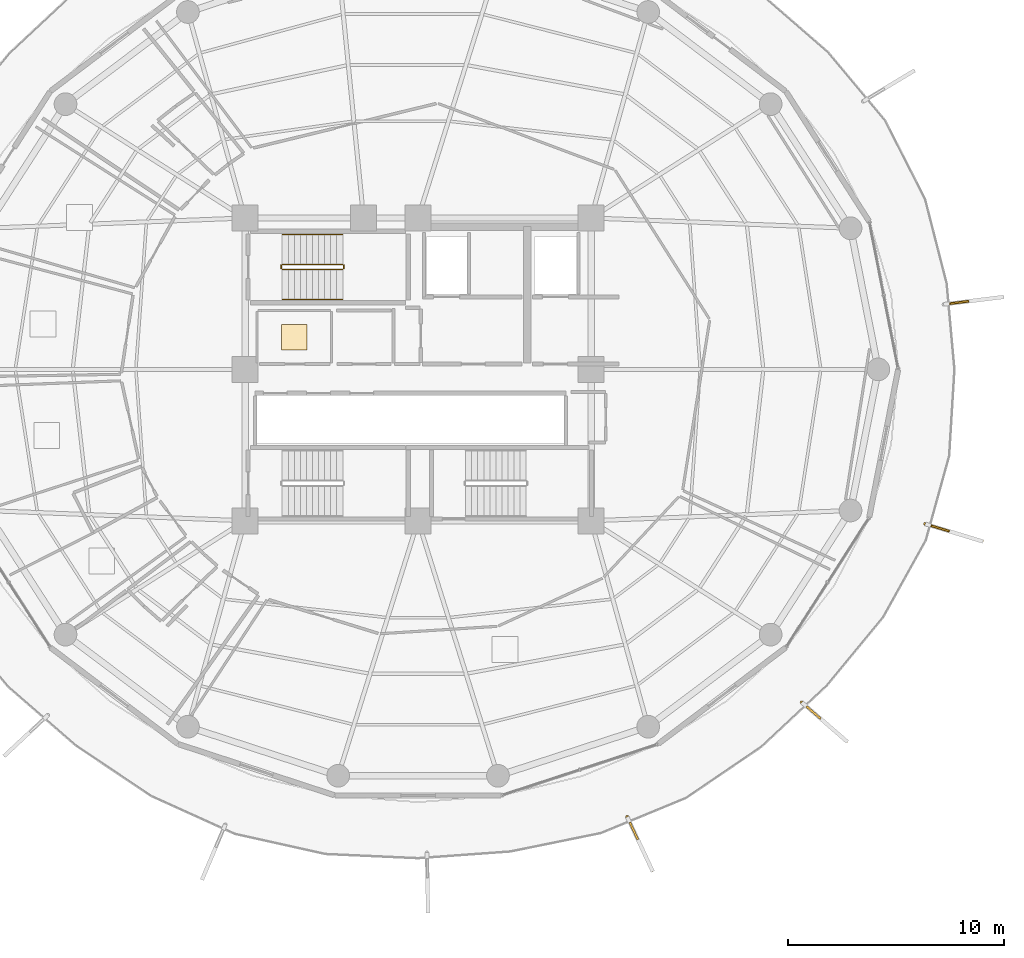
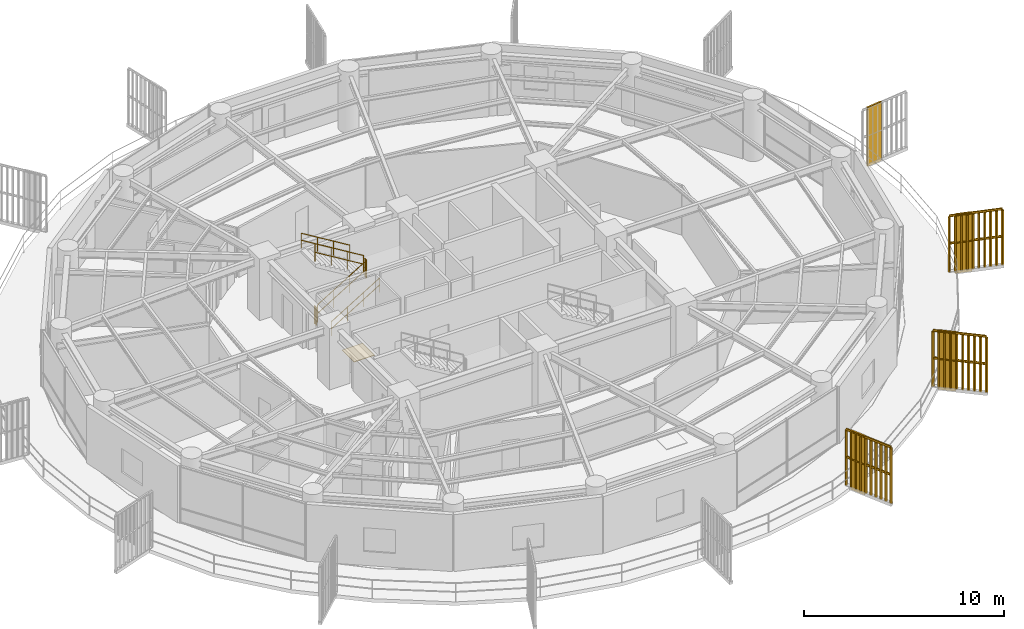
# One storey, part 29 of 30: 9 railings, 4 shading devices, 1 covering.
"""IFC4 building model written with IfcOpenShell, lengths in metres."""

from ifc_helpers import new_model, si_unit, direction, frame, origin, origin_2d, place, context, subcontext, project, spatial, polyline, rectangle, outline, extrude, source, transform, mapped, material, layer, layer_set, type_object, element, save


model = new_model("IFC4")

# Units and contexts
model_context = context("Model", 3, precision=1e-05, world=origin(), true_north=direction((0.0, 1.0)))
body_context = subcontext(model_context, "Body", "Model", "MODEL_VIEW")
ifc_project = project(units=[si_unit("LENGTHUNIT", "METRE"), si_unit("AREAUNIT", "SQUARE_METRE"), si_unit("VOLUMEUNIT", "CUBIC_METRE"), si_unit("PLANEANGLEUNIT", "RADIAN"), si_unit("MASSUNIT", "GRAM", prefix="KILO")], contexts=[model_context])

# Site, building, storey
site_placement = place(None, origin())
site = spatial("IfcSite", under=ifc_project, at=site_placement, CompositionType="ELEMENT")
building_placement = place(site_placement, origin())
building = spatial("IfcBuilding", under=site, at=building_placement, Name="Kelanora Arch Commons", CompositionType="ELEMENT")
storey_placement = place(building_placement, frame((0.0, 0.0, 215.699951171875)))
storey = spatial("IfcBuildingStorey", under=building, at=storey_placement, Name="L55", CompositionType="ELEMENT", Elevation=215.699951171875)

# Railings
ifc_material_1 = material(Name="Anodised bronze vertical shading fin rib assembly")
railing_type_1 = type_object("IfcRailingType", Name="RAIL-FIN-BRZ", PredefinedType="BALUSTRADE", material=ifc_material_1)
railing_1_placement = place(storey_placement, frame((91.742431640625, 42.605712890625, -0.02001953125)))
element("IfcRailing", 1, at=railing_1_placement, inside=storey, type_object=railing_type_1, Name="Sweeping Bronze Vertical Fin Blade L55-00", PredefinedType="BALUSTRADE", context=body_context, shape_type="SweptSolid", body=[
    extrude(outline(polyline([(0.06982421875, 0.0), (0.034912109375, 0.060546875), (-0.034912109375, 0.060546875), (-0.06982421875, 0.0), (-0.034912109375, -0.060546875), (0.034912109375, -0.060546875), (0.06982421875, 0.0)])), frame((0.0, 0.0, 3.419921875), z_axis=(0.755284709994, -0.655396831583, 0.0), x_axis=(0.655396831583, 0.755284709994, 0.0)), (0.0, 0.0, 1.0), 2.730224609375),
    extrude(outline(polyline([(0.06982421875, 0.0), (0.034912109375, 0.060546875), (-0.034912109375, 0.060546875), (-0.06982421875, 0.0), (-0.034912109375, -0.060546875), (0.034912109375, -0.060546875), (0.06982421875, 0.0)])), frame((0.0, 0.0, 1.7451171875), z_axis=(0.755284709994, -0.655396831583, 0.0), x_axis=(0.655396831583, 0.755284709994, 0.0)), (0.0, 0.0, 1.0), 2.730224609375),
    extrude(outline(polyline([(0.080078125, 0.0), (0.0400390625, 0.0693359375), (-0.0400390625, 0.0693359375), (-0.080078125, 0.0), (-0.0400390625, -0.0693359375), (0.0400390625, -0.0693359375), (0.080078125, 0.0)])), origin(), (0.0, 0.0, 1.0), 3.35009765625),
    extrude(outline(polyline([(0.080078125, 0.0), (0.0400390625, 0.0693359375), (-0.0400390625, 0.0693359375), (-0.080078125, 0.0), (-0.0400390625, -0.0693359375), (0.0400390625, -0.0693359375), (0.080078125, 0.0)])), frame((0.22900390625, -0.19873046875, 0.0)), (0.0, 0.0, 1.0), 3.35009765625),
    extrude(outline(polyline([(0.080078125, 0.0), (0.0400390625, 0.0693359375), (-0.0400390625, 0.0693359375), (-0.080078125, 0.0), (-0.0400390625, -0.0693359375), (0.0400390625, -0.0693359375), (0.080078125, 0.0)])), frame((0.458251953125, -0.397705078125, 0.0)), (0.0, 0.0, 1.0), 3.35009765625),
    extrude(outline(polyline([(0.080078125, 0.0), (0.0400390625, 0.0693359375), (-0.0400390625, 0.0693359375), (-0.080078125, 0.0), (-0.0400390625, -0.0693359375), (0.0400390625, -0.0693359375), (0.080078125, 0.0)])), frame((0.687255859375, -0.596435546875, 0.0)), (0.0, 0.0, 1.0), 3.35009765625),
    extrude(outline(polyline([(0.080078125, 0.0), (0.0400390625, 0.0693359375), (-0.0400390625, 0.0693359375), (-0.080078125, 0.0), (-0.0400390625, -0.0693359375), (0.0400390625, -0.0693359375), (0.080078125, 0.0)])), frame((0.91650390625, -0.795166015625, 0.0)), (0.0, 0.0, 1.0), 3.35009765625),
    extrude(outline(polyline([(0.080078125, 0.0), (0.0400390625, 0.0693359375), (-0.0400390625, 0.0693359375), (-0.080078125, 0.0), (-0.0400390625, -0.0693359375), (0.0400390625, -0.0693359375), (0.080078125, 0.0)])), frame((1.1455078125, -0.994140625, 0.0)), (0.0, 0.0, 1.0), 3.35009765625),
    extrude(outline(polyline([(0.080078125, 0.0), (0.0400390625, 0.0693359375), (-0.0400390625, 0.0693359375), (-0.080078125, 0.0), (-0.0400390625, -0.0693359375), (0.0400390625, -0.0693359375), (0.080078125, 0.0)])), frame((1.374755859375, -1.19287109375, 0.0)), (0.0, 0.0, 1.0), 3.35009765625),
    extrude(outline(polyline([(0.080078125, 0.0), (0.0400390625, 0.0693359375), (-0.0400390625, 0.0693359375), (-0.080078125, 0.0), (-0.0400390625, -0.0693359375), (0.0400390625, -0.0693359375), (0.080078125, 0.0)])), frame((1.603759765625, -1.3916015625, 0.0)), (0.0, 0.0, 1.0), 3.35009765625),
    extrude(outline(polyline([(0.080078125, 0.0), (0.0400390625, 0.0693359375), (-0.0400390625, 0.0693359375), (-0.080078125, 0.0), (-0.0400390625, -0.0693359375), (0.0400390625, -0.0693359375), (0.080078125, 0.0)])), frame((1.8330078125, -1.590576171875, 0.0)), (0.0, 0.0, 1.0), 3.35009765625),
    extrude(outline(polyline([(0.080078125, 0.0), (0.0400390625, 0.0693359375), (-0.0400390625, 0.0693359375), (-0.080078125, 0.0), (-0.0400390625, -0.0693359375), (0.0400390625, -0.0693359375), (0.080078125, 0.0)])), frame((2.06201171875, -1.789306640625, 0.0)), (0.0, 0.0, 1.0), 3.35009765625),
])
railing_2_placement = place(storey_placement, frame((97.453125, 50.853515625, -0.02001953125)))
element("IfcRailing", 2, at=railing_2_placement, inside=storey, type_object=railing_type_1, Name="Sweeping Bronze Vertical Fin Blade L55-01", PredefinedType="BALUSTRADE", context=body_context, shape_type="SweptSolid", body=[
    extrude(outline(polyline([(0.06982421875, 0.0), (0.034912109375, 0.060546875), (-0.034912109375, 0.060546875), (-0.06982421875, 0.0), (-0.034912109375, -0.060546875), (0.034912109375, -0.060546875), (0.06982421875, 0.0)])), frame((0.0, 0.0, 3.419921875), z_axis=(0.956556830842, -0.291545930118, 0.0), x_axis=(0.291545930118, 0.956556830842, 0.0)), (0.0, 0.0, 1.0), 2.72998046875),
    extrude(outline(polyline([(0.06982421875, 0.0), (0.034912109375, 0.060546875), (-0.034912109375, 0.060546875), (-0.06982421875, 0.0), (-0.034912109375, -0.060546875), (0.034912109375, -0.060546875), (0.06982421875, 0.0)])), frame((0.0, 0.0, 1.7451171875), z_axis=(0.956556830842, -0.291545930118, 0.0), x_axis=(0.291545930118, 0.956556830842, 0.0)), (0.0, 0.0, 1.0), 2.72998046875),
    extrude(outline(polyline([(0.080078125, 0.0), (0.0400390625, 0.0693359375), (-0.0400390625, 0.0693359375), (-0.080078125, 0.0), (-0.0400390625, -0.0693359375), (0.0400390625, -0.0693359375), (0.080078125, 0.0)])), origin(), (0.0, 0.0, 1.0), 3.35009765625),
    extrude(outline(polyline([(0.080078125, 0.0), (0.0400390625, 0.0693359375), (-0.0400390625, 0.0693359375), (-0.080078125, 0.0), (-0.0400390625, -0.0693359375), (0.0400390625, -0.0693359375), (0.080078125, 0.0)])), frame((0.2900390625, -0.08837890625, 0.0)), (0.0, 0.0, 1.0), 3.35009765625),
    extrude(outline(polyline([(0.080078125, 0.0), (0.0400390625, 0.0693359375), (-0.0400390625, 0.0693359375), (-0.080078125, 0.0), (-0.0400390625, -0.0693359375), (0.0400390625, -0.0693359375), (0.080078125, 0.0)])), frame((0.580322265625, -0.1767578125, 0.0)), (0.0, 0.0, 1.0), 3.35009765625),
    extrude(outline(polyline([(0.080078125, 0.0), (0.0400390625, 0.0693359375), (-0.0400390625, 0.0693359375), (-0.080078125, 0.0), (-0.0400390625, -0.0693359375), (0.0400390625, -0.0693359375), (0.080078125, 0.0)])), frame((0.870361328125, -0.265380859375, 0.0)), (0.0, 0.0, 1.0), 3.35009765625),
    extrude(outline(polyline([(0.080078125, 0.0), (0.0400390625, 0.0693359375), (-0.0400390625, 0.0693359375), (-0.080078125, 0.0), (-0.0400390625, -0.0693359375), (0.0400390625, -0.0693359375), (0.080078125, 0.0)])), frame((1.16064453125, -0.353759765625, 0.0)), (0.0, 0.0, 1.0), 3.35009765625),
    extrude(outline(polyline([(0.080078125, 0.0), (0.0400390625, 0.0693359375), (-0.0400390625, 0.0693359375), (-0.080078125, 0.0), (-0.0400390625, -0.0693359375), (0.0400390625, -0.0693359375), (0.080078125, 0.0)])), frame((1.45068359375, -0.442138671875, 0.0)), (0.0, 0.0, 1.0), 3.35009765625),
    extrude(outline(polyline([(0.080078125, 0.0), (0.0400390625, 0.0693359375), (-0.0400390625, 0.0693359375), (-0.080078125, 0.0), (-0.0400390625, -0.0693359375), (0.0400390625, -0.0693359375), (0.080078125, 0.0)])), frame((1.740966796875, -0.530517578125, 0.0)), (0.0, 0.0, 1.0), 3.35009765625),
    extrude(outline(polyline([(0.080078125, 0.0), (0.0400390625, 0.0693359375), (-0.0400390625, 0.0693359375), (-0.080078125, 0.0), (-0.0400390625, -0.0693359375), (0.0400390625, -0.0693359375), (0.080078125, 0.0)])), frame((2.031005859375, -0.619140625, 0.0)), (0.0, 0.0, 1.0), 3.35009765625),
    extrude(outline(polyline([(0.080078125, 0.0), (0.0400390625, 0.0693359375), (-0.0400390625, 0.0693359375), (-0.080078125, 0.0), (-0.0400390625, -0.0693359375), (0.0400390625, -0.0693359375), (0.080078125, 0.0)])), frame((2.3212890625, -0.70751953125, 0.0)), (0.0, 0.0, 1.0), 3.35009765625),
    extrude(outline(polyline([(0.080078125, 0.0), (0.0400390625, 0.0693359375), (-0.0400390625, 0.0693359375), (-0.080078125, 0.0), (-0.0400390625, -0.0693359375), (0.0400390625, -0.0693359375), (0.080078125, 0.0)])), frame((2.611328125, -0.7958984375, 0.0)), (0.0, 0.0, 1.0), 3.35009765625),
])
railing_3_placement = place(storey_placement, frame((83.6728515625, 37.306640625, -0.02001953125)))
element("IfcRailing", 3, at=railing_3_placement, inside=storey, type_object=railing_type_1, Name="Sweeping Bronze Vertical Fin Blade L55-14", PredefinedType="BALUSTRADE", context=body_context, shape_type="SweptSolid", body=[
    extrude(outline(polyline([(0.06982421875, 0.0), (0.034912109375, 0.060546875), (-0.034912109375, 0.060546875), (-0.06982421875, 0.0), (-0.034912109375, -0.060546875), (0.034912109375, -0.060546875), (0.06982421875, 0.0)])), frame((0.0, 0.0, 3.419921875), z_axis=(0.42344839752, -0.905920225317, 0.0), x_axis=(0.905920225317, 0.42344839752, 0.0)), (0.0, 0.0, 1.0), 2.72998046875),
    extrude(outline(polyline([(0.06982421875, 0.0), (0.034912109375, 0.060546875), (-0.034912109375, 0.060546875), (-0.06982421875, 0.0), (-0.034912109375, -0.060546875), (0.034912109375, -0.060546875), (0.06982421875, 0.0)])), frame((0.0, 0.0, 1.7451171875), z_axis=(0.42344839752, -0.905920225317, 0.0), x_axis=(0.905920225317, 0.42344839752, 0.0)), (0.0, 0.0, 1.0), 2.72998046875),
    extrude(outline(polyline([(0.080078125, 0.0), (0.0400390625, 0.0693359375), (-0.0400390625, 0.0693359375), (-0.080078125, 0.0), (-0.0400390625, -0.0693359375), (0.0400390625, -0.0693359375), (0.080078125, 0.0)])), origin(), (0.0, 0.0, 1.0), 3.35009765625),
    extrude(outline(polyline([(0.080078125, 0.0), (0.0400390625, 0.0693359375), (-0.0400390625, 0.0693359375), (-0.080078125, 0.0), (-0.0400390625, -0.0693359375), (0.0400390625, -0.0693359375), (0.080078125, 0.0)])), frame((0.12841796875, -0.27490234375, 0.0)), (0.0, 0.0, 1.0), 3.35009765625),
    extrude(outline(polyline([(0.080078125, 0.0), (0.0400390625, 0.0693359375), (-0.0400390625, 0.0693359375), (-0.080078125, 0.0), (-0.0400390625, -0.0693359375), (0.0400390625, -0.0693359375), (0.080078125, 0.0)])), frame((0.2568359375, -0.549560546875, 0.0)), (0.0, 0.0, 1.0), 3.35009765625),
    extrude(outline(polyline([(0.080078125, 0.0), (0.0400390625, 0.0693359375), (-0.0400390625, 0.0693359375), (-0.080078125, 0.0), (-0.0400390625, -0.0693359375), (0.0400390625, -0.0693359375), (0.080078125, 0.0)])), frame((0.38525390625, -0.824462890625, 0.0)), (0.0, 0.0, 1.0), 3.35009765625),
    extrude(outline(polyline([(0.080078125, 0.0), (0.0400390625, 0.0693359375), (-0.0400390625, 0.0693359375), (-0.080078125, 0.0), (-0.0400390625, -0.0693359375), (0.0400390625, -0.0693359375), (0.080078125, 0.0)])), frame((0.513671875, -1.09912109375, 0.0)), (0.0, 0.0, 1.0), 3.35009765625),
    extrude(outline(polyline([(0.080078125, 0.0), (0.0400390625, 0.0693359375), (-0.0400390625, 0.0693359375), (-0.080078125, 0.0), (-0.0400390625, -0.0693359375), (0.0400390625, -0.0693359375), (0.080078125, 0.0)])), frame((0.642333984375, -1.3740234375, 0.0)), (0.0, 0.0, 1.0), 3.35009765625),
    extrude(outline(polyline([(0.080078125, 0.0), (0.0400390625, 0.0693359375), (-0.0400390625, 0.0693359375), (-0.080078125, 0.0), (-0.0400390625, -0.0693359375), (0.0400390625, -0.0693359375), (0.080078125, 0.0)])), frame((0.770751953125, -1.648681640625, 0.0)), (0.0, 0.0, 1.0), 3.35009765625),
    extrude(outline(polyline([(0.080078125, 0.0), (0.0400390625, 0.0693359375), (-0.0400390625, 0.0693359375), (-0.080078125, 0.0), (-0.0400390625, -0.0693359375), (0.0400390625, -0.0693359375), (0.080078125, 0.0)])), frame((0.899169921875, -1.923583984375, 0.0)), (0.0, 0.0, 1.0), 3.35009765625),
    extrude(outline(polyline([(0.080078125, 0.0), (0.0400390625, 0.0693359375), (-0.0400390625, 0.0693359375), (-0.080078125, 0.0), (-0.0400390625, -0.0693359375), (0.0400390625, -0.0693359375), (0.080078125, 0.0)])), frame((1.027587890625, -2.1982421875, 0.0)), (0.0, 0.0, 1.0), 3.35009765625),
    extrude(outline(polyline([(0.080078125, 0.0), (0.0400390625, 0.0693359375), (-0.0400390625, 0.0693359375), (-0.080078125, 0.0), (-0.0400390625, -0.0693359375), (0.0400390625, -0.0693359375), (0.080078125, 0.0)])), frame((1.156005859375, -2.47314453125, 0.0)), (0.0, 0.0, 1.0), 3.35009765625),
])
ifc_material_2 = material(Name="Painted steel stair well guard", Category="steel")
railing_type_2 = type_object("IfcRailingType", Name="RAIL-STAIR-GRD", PredefinedType="GUARDRAIL", material=ifc_material_2)
railing_4_placement = place(storey_placement, frame((67.719970703125, 62.610107421875, 0.17041015625)))
element("IfcRailing", 4, at=railing_4_placement, inside=storey, type_object=railing_type_2, Name="L55 ST-T1 stair guard 1", PredefinedType="GUARDRAIL", context=body_context, shape_type="SweptSolid", body=[
    extrude(outline(polyline([(0.02392578125, 0.0), (0.011962890625, 0.020751953125), (-0.011962890625, 0.020751953125), (-0.02392578125, 0.0), (-0.011962890625, -0.020751953125), (0.011962890625, -0.020751953125), (0.02392578125, 0.0)])), frame((0.0, 0.0, 1.076171875), z_axis=(0.854169791009, 0.0, 0.51999420009), x_axis=(0.0, 1.0, 0.0)), (0.0, 0.0, 1.0), 3.278076171875),
    extrude(outline(polyline([(0.02392578125, 0.0), (0.011962890625, 0.020751953125), (-0.011962890625, 0.020751953125), (-0.02392578125, 0.0), (-0.011962890625, -0.020751953125), (0.011962890625, -0.020751953125), (0.02392578125, 0.0)])), frame((0.0, 0.0, 0.550048828125), z_axis=(0.854169791009, 0.0, 0.51999420009), x_axis=(0.0, 1.0, 0.0)), (0.0, 0.0, 1.0), 3.278076171875),
    extrude(outline(polyline([(0.02099609375, 0.0), (0.010498046875, 0.01806640625), (-0.010498046875, 0.01806640625), (-0.02099609375, 0.0), (-0.010498046875, -0.01806640625), (0.010498046875, -0.01806640625), (0.02099609375, 0.0)])), origin(), (0.0, 0.0, 1.0), 1.052001953125),
    extrude(outline(polyline([(0.02099609375, 0.0), (0.010498046875, 0.01806640625), (-0.010498046875, 0.01806640625), (-0.02099609375, 0.0), (-0.010498046875, -0.01806640625), (0.010498046875, -0.01806640625), (0.02099609375, 0.0)])), frame((0.933349609375, 0.0, 0.568115234375)), (0.0, 0.0, 1.0), 1.052001953125),
    extrude(outline(polyline([(0.02099609375, 0.0), (0.010498046875, 0.01806640625), (-0.010498046875, 0.01806640625), (-0.02099609375, 0.0), (-0.010498046875, -0.01806640625), (0.010498046875, -0.01806640625), (0.02099609375, 0.0)])), frame((1.86669921875, 0.0, 1.136474609375)), (0.0, 0.0, 1.0), 1.052001953125),
    extrude(outline(polyline([(0.02099609375, 0.0), (0.010498046875, 0.01806640625), (-0.010498046875, 0.01806640625), (-0.02099609375, 0.0), (-0.010498046875, -0.01806640625), (0.010498046875, -0.01806640625), (0.02099609375, 0.0)])), frame((2.800048828125, 0.0, 1.70458984375)), (0.0, 0.0, 1.0), 1.052001953125),
])
railing_5_placement = place(storey_placement, frame((70.570068359375, 62.659912109375, 1.875)))
element("IfcRailing", 5, at=railing_5_placement, inside=storey, type_object=railing_type_2, Name="L55 ST-T1 stair guard 2", PredefinedType="GUARDRAIL", context=body_context, shape_type="SweptSolid", body=[
    extrude(outline(polyline([(0.02392578125, 0.0), (0.011962890625, 0.020751953125), (-0.011962890625, 0.020751953125), (-0.02392578125, 0.0), (-0.011962890625, -0.020751953125), (0.011962890625, -0.020751953125), (0.02392578125, 0.0)])), frame((0.0, 0.0, 1.076171875), z_axis=(0.0, 1.0, 0.0), x_axis=(-1.0, 0.0, 0.0)), (0.0, 0.0, 1.0), 0.150146484375),
    extrude(outline(polyline([(0.02392578125, 0.0), (0.011962890625, 0.020751953125), (-0.011962890625, 0.020751953125), (-0.02392578125, 0.0), (-0.011962890625, -0.020751953125), (0.011962890625, -0.020751953125), (0.02392578125, 0.0)])), frame((0.0, 0.0, 0.550048828125), z_axis=(0.0, 1.0, 0.0), x_axis=(-1.0, 0.0, 0.0)), (0.0, 0.0, 1.0), 0.150146484375),
    extrude(outline(polyline([(0.02099609375, 0.0), (0.010498046875, 0.01806640625), (-0.010498046875, 0.01806640625), (-0.02099609375, 0.0), (-0.010498046875, -0.01806640625), (0.010498046875, -0.01806640625), (0.02099609375, 0.0)])), origin(), (0.0, 0.0, 1.0), 1.052001953125),
    extrude(outline(polyline([(0.02099609375, 0.0), (0.010498046875, 0.01806640625), (-0.010498046875, 0.01806640625), (-0.02099609375, 0.0), (-0.010498046875, -0.01806640625), (0.010498046875, -0.01806640625), (0.02099609375, 0.0)])), frame((0.0, 0.150146484375, 0.0)), (0.0, 0.0, 1.0), 1.052001953125),
])
railing_6_placement = place(storey_placement, frame((70.52001953125, 62.860107421875, 2.04541015625)))
element("IfcRailing", 6, at=railing_6_placement, inside=storey, type_object=railing_type_2, Name="L55 ST-T1 stair guard 3", PredefinedType="GUARDRAIL", context=body_context, shape_type="SweptSolid", body=[
    extrude(outline(polyline([(0.02392578125, 0.0), (0.011962890625, 0.020751953125), (-0.011962890625, 0.020751953125), (-0.02392578125, 0.0), (-0.011962890625, -0.020751953125), (0.011962890625, -0.020751953125), (0.02392578125, 0.0)])), frame((0.0, 0.0, 1.076171875), z_axis=(-0.854169791009, 0.0, 0.51999420009), x_axis=(0.0, -1.0, 0.0)), (0.0, 0.0, 1.0), 3.278076171875),
    extrude(outline(polyline([(0.02392578125, 0.0), (0.011962890625, 0.020751953125), (-0.011962890625, 0.020751953125), (-0.02392578125, 0.0), (-0.011962890625, -0.020751953125), (0.011962890625, -0.020751953125), (0.02392578125, 0.0)])), frame((0.0, 0.0, 0.550048828125), z_axis=(-0.854169791009, 0.0, 0.51999420009), x_axis=(0.0, -1.0, 0.0)), (0.0, 0.0, 1.0), 3.278076171875),
    extrude(outline(polyline([(0.02099609375, 0.0), (0.010498046875, 0.01806640625), (-0.010498046875, 0.01806640625), (-0.02099609375, 0.0), (-0.010498046875, -0.01806640625), (0.010498046875, -0.01806640625), (0.02099609375, 0.0)])), origin(), (0.0, 0.0, 1.0), 1.052001953125),
    extrude(outline(polyline([(0.02099609375, 0.0), (0.010498046875, 0.01806640625), (-0.010498046875, 0.01806640625), (-0.02099609375, 0.0), (-0.010498046875, -0.01806640625), (0.010498046875, -0.01806640625), (0.02099609375, 0.0)])), frame((-0.933349609375, 0.0, 0.568115234375)), (0.0, 0.0, 1.0), 1.052001953125),
    extrude(outline(polyline([(0.02099609375, 0.0), (0.010498046875, 0.01806640625), (-0.010498046875, 0.01806640625), (-0.02099609375, 0.0), (-0.010498046875, -0.01806640625), (0.010498046875, -0.01806640625), (0.02099609375, 0.0)])), frame((-1.86669921875, 0.0, 1.136474609375)), (0.0, 0.0, 1.0), 1.052001953125),
    extrude(outline(polyline([(0.02099609375, 0.0), (0.010498046875, 0.01806640625), (-0.010498046875, 0.01806640625), (-0.02099609375, 0.0), (-0.010498046875, -0.01806640625), (0.010498046875, -0.01806640625), (0.02099609375, 0.0)])), frame((-2.800048828125, 0.0, 1.70458984375)), (0.0, 0.0, 1.0), 1.052001953125),
])
railing_7_placement = place(storey_placement, frame((67.669921875, 62.659912109375, 0.0)))
element("IfcRailing", 7, at=railing_7_placement, inside=storey, type_object=railing_type_2, Name="L55 ST-T1 stair guard 4", PredefinedType="GUARDRAIL", context=body_context, shape_type="SweptSolid", body=[
    extrude(outline(polyline([(0.02392578125, 0.0), (0.011962890625, 0.020751953125), (-0.011962890625, 0.020751953125), (-0.02392578125, 0.0), (-0.011962890625, -0.020751953125), (0.011962890625, -0.020751953125), (0.02392578125, 0.0)])), frame((0.0, 0.0, 1.076171875), z_axis=(0.0, 1.0, 0.0), x_axis=(-1.0, 0.0, 0.0)), (0.0, 0.0, 1.0), 0.150146484375),
    extrude(outline(polyline([(0.02392578125, 0.0), (0.011962890625, 0.020751953125), (-0.011962890625, 0.020751953125), (-0.02392578125, 0.0), (-0.011962890625, -0.020751953125), (0.011962890625, -0.020751953125), (0.02392578125, 0.0)])), frame((0.0, 0.0, 0.550048828125), z_axis=(0.0, 1.0, 0.0), x_axis=(-1.0, 0.0, 0.0)), (0.0, 0.0, 1.0), 0.150146484375),
    extrude(outline(polyline([(0.02099609375, 0.0), (0.010498046875, 0.01806640625), (-0.010498046875, 0.01806640625), (-0.02099609375, 0.0), (-0.010498046875, -0.01806640625), (0.010498046875, -0.01806640625), (0.02099609375, 0.0)])), origin(), (0.0, 0.0, 1.0), 1.052001953125),
    extrude(outline(polyline([(0.02099609375, 0.0), (0.010498046875, 0.01806640625), (-0.010498046875, 0.01806640625), (-0.02099609375, 0.0), (-0.010498046875, -0.01806640625), (0.010498046875, -0.01806640625), (0.02099609375, 0.0)])), frame((0.0, 0.150146484375, 0.0)), (0.0, 0.0, 1.0), 1.052001953125),
])
ifc_material_3 = material(Name="Brushed stainless steel stair handrail", Category="steel")
railing_type_3 = type_object("IfcRailingType", Name="RAIL-STAIR-HND", PredefinedType="HANDRAIL", material=ifc_material_3)
railing_8_placement = place(storey_placement, frame((67.719970703125, 61.22998046875, 0.17041015625)))
element("IfcRailing", 8, at=railing_8_placement, inside=storey, type_object=railing_type_3, Name="L55 ST-T1 stair handrail 1", PredefinedType="HANDRAIL", context=body_context, shape_type="SweptSolid", body=[
    extrude(outline(polyline([(0.02392578125, 0.0), (0.011962890625, 0.020751953125), (-0.011962890625, 0.020751953125), (-0.02392578125, 0.0), (-0.011962890625, -0.020751953125), (0.011962890625, -0.020751953125), (0.02392578125, 0.0)])), frame((0.0, 0.0, 0.8759765625), z_axis=(0.854169791009, 0.0, 0.51999420009), x_axis=(0.0, 1.0, 0.0)), (0.0, 0.0, 1.0), 3.278076171875),
    extrude(outline(polyline([(0.02392578125, 0.0), (0.011962890625, 0.020751953125), (-0.011962890625, 0.020751953125), (-0.02392578125, 0.0), (-0.011962890625, -0.020751953125), (0.011962890625, -0.020751953125), (0.02392578125, 0.0)])), frame((0.0, 0.0, 0.449951171875), z_axis=(0.854169791009, 0.0, 0.51999420009), x_axis=(0.0, 1.0, 0.0)), (0.0, 0.0, 1.0), 3.278076171875),
    extrude(outline(polyline([(0.02099609375, 0.0), (0.010498046875, 0.01806640625), (-0.010498046875, 0.01806640625), (-0.02099609375, 0.0), (-0.010498046875, -0.01806640625), (0.010498046875, -0.01806640625), (0.02099609375, 0.0)])), origin(), (0.0, 0.0, 1.0), 0.851806640625),
    extrude(outline(polyline([(0.02099609375, 0.0), (0.010498046875, 0.01806640625), (-0.010498046875, 0.01806640625), (-0.02099609375, 0.0), (-0.010498046875, -0.01806640625), (0.010498046875, -0.01806640625), (0.02099609375, 0.0)])), frame((0.933349609375, 0.0, 0.568115234375)), (0.0, 0.0, 1.0), 0.851806640625),
    extrude(outline(polyline([(0.02099609375, 0.0), (0.010498046875, 0.01806640625), (-0.010498046875, 0.01806640625), (-0.02099609375, 0.0), (-0.010498046875, -0.01806640625), (0.010498046875, -0.01806640625), (0.02099609375, 0.0)])), frame((1.86669921875, 0.0, 1.136474609375)), (0.0, 0.0, 1.0), 0.851806640625),
    extrude(outline(polyline([(0.02099609375, 0.0), (0.010498046875, 0.01806640625), (-0.010498046875, 0.01806640625), (-0.02099609375, 0.0), (-0.010498046875, -0.01806640625), (0.010498046875, -0.01806640625), (0.02099609375, 0.0)])), frame((2.800048828125, 0.0, 1.70458984375)), (0.0, 0.0, 1.0), 0.851806640625),
])
railing_9_placement = place(storey_placement, frame((70.52001953125, 64.239990234375, 2.04541015625)))
element("IfcRailing", 9, at=railing_9_placement, inside=storey, type_object=railing_type_3, Name="L55 ST-T1 stair handrail 2", PredefinedType="HANDRAIL", context=body_context, shape_type="SweptSolid", body=[
    extrude(outline(polyline([(0.02392578125, 0.0), (0.011962890625, 0.020751953125), (-0.011962890625, 0.020751953125), (-0.02392578125, 0.0), (-0.011962890625, -0.020751953125), (0.011962890625, -0.020751953125), (0.02392578125, 0.0)])), frame((0.0, 0.0, 0.8759765625), z_axis=(-0.854169791009, 0.0, 0.51999420009), x_axis=(0.0, -1.0, 0.0)), (0.0, 0.0, 1.0), 3.278076171875),
    extrude(outline(polyline([(0.02392578125, 0.0), (0.011962890625, 0.020751953125), (-0.011962890625, 0.020751953125), (-0.02392578125, 0.0), (-0.011962890625, -0.020751953125), (0.011962890625, -0.020751953125), (0.02392578125, 0.0)])), frame((0.0, 0.0, 0.449951171875), z_axis=(-0.854169791009, 0.0, 0.51999420009), x_axis=(0.0, -1.0, 0.0)), (0.0, 0.0, 1.0), 3.278076171875),
    extrude(outline(polyline([(0.02099609375, 0.0), (0.010498046875, 0.01806640625), (-0.010498046875, 0.01806640625), (-0.02099609375, 0.0), (-0.010498046875, -0.01806640625), (0.010498046875, -0.01806640625), (0.02099609375, 0.0)])), origin(), (0.0, 0.0, 1.0), 0.851806640625),
    extrude(outline(polyline([(0.02099609375, 0.0), (0.010498046875, 0.01806640625), (-0.010498046875, 0.01806640625), (-0.02099609375, 0.0), (-0.010498046875, -0.01806640625), (0.010498046875, -0.01806640625), (0.02099609375, 0.0)])), frame((-0.933349609375, 0.0, 0.568115234375)), (0.0, 0.0, 1.0), 0.851806640625),
    extrude(outline(polyline([(0.02099609375, 0.0), (0.010498046875, 0.01806640625), (-0.010498046875, 0.01806640625), (-0.02099609375, 0.0), (-0.010498046875, -0.01806640625), (0.010498046875, -0.01806640625), (0.02099609375, 0.0)])), frame((-1.86669921875, 0.0, 1.136474609375)), (0.0, 0.0, 1.0), 0.851806640625),
    extrude(outline(polyline([(0.02099609375, 0.0), (0.010498046875, 0.01806640625), (-0.010498046875, 0.01806640625), (-0.02099609375, 0.0), (-0.010498046875, -0.01806640625), (0.010498046875, -0.01806640625), (0.02099609375, 0.0)])), frame((-2.800048828125, 0.0, 1.70458984375)), (0.0, 0.0, 1.0), 0.851806640625),
])

# Shading devices
ifc_material_4 = material(Name="Terracotta ceramic-clad extruded aluminium fin", Category="masonry")
shading_device_type = type_object("IfcShadingDeviceType", Name="SHD-FIN-FLARE", PredefinedType="USERDEFINED", material=ifc_material_4)
shared_shape_1 = source(origin(), body_context, "Body", "SweptSolid", [
    extrude(rectangle(XDim=0.8798828125, YDim=0.090087890625, at=origin_2d()), origin(), (0.0, 0.0, 1.0), 3.610107421875),
])
for number, where, z_axis, x_axis, name in (
    (10, (92.2861328125, 42.1337890625, -0.14013671875), (0.0, 0.0, 1.0), (0.755281812285, -0.655400170912, 0.0), "Sweeping Terracotta Fin L55-00"),
    (11, (98.141845703125, 50.6435546875, -0.14013671875), (0.0, 0.0, 1.0), (0.956559534241, -0.29153706017, 0.0), "Sweeping Terracotta Fin L55-01"),
    (12, (99.017822265625, 61.09521484375, -0.14013671875), (0.0, 0.0, 1.0), (0.992439422656, 0.122735456807, 0.0), "Sweeping Terracotta Fin L55-02"),
    (13, (83.977783203125, 36.654296875, -0.14013671875), (0.0, 0.0, 1.0), (0.423409003465, -0.90593863798, 0.0), "Sweeping Terracotta Fin L55-14"),
):
    element("IfcShadingDevice", number, at=place(storey_placement, frame(where, z_axis=z_axis, x_axis=x_axis)), inside=storey, type_object=shading_device_type, Name=name, ObjectType="FIN", PredefinedType="USERDEFINED", context=body_context, shape_type="MappedRepresentation", body=[
        mapped(shared_shape_1, transform((0.0, 0.0, 0.0), scale=1.0)),
    ])

# Covering
ifc_material_5 = material(Name="Polished local granite terrazzo flooring", Category="masonry")
ifc_layer = layer(ifc_material_5, 0.030029296875)
ifc_layer_set = layer_set([ifc_layer], Name="Polished local granite terrazzo flooring")
covering_type = type_object("IfcCoveringType", Name="COV-FLR-TER", PredefinedType="FLOORING", material=ifc_layer_set)
shared_shape_2 = source(origin(), body_context, "Body", "SweptSolid", [
    extrude(rectangle(XDim=1.199951171875, YDim=1.199951171875, at=origin_2d()), origin(), (0.0, 0.0, 1.0), 0.030029296875),
])
covering_placement = place(storey_placement, frame((68.27490234375, 59.485107421875, 0.0), z_axis=(0.0, 0.0, 1.0), x_axis=(1.0, 0.0, 0.0)))
element("IfcCovering", 14, at=covering_placement, inside=storey, type_object=covering_type, Name="Reclaimed Core Quiet Phone Booths L55 Terrazzo Finish", PredefinedType="FLOORING", context=body_context, shape_type="MappedRepresentation", body=[
    mapped(shared_shape_2, transform((0.0, 0.0, 0.0), scale=1.0)),
])

save(model, "model.ifc")
